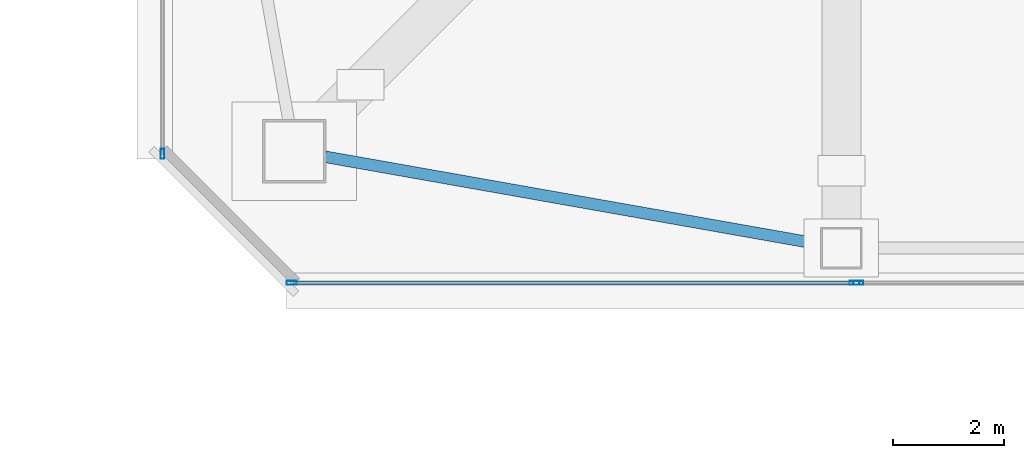
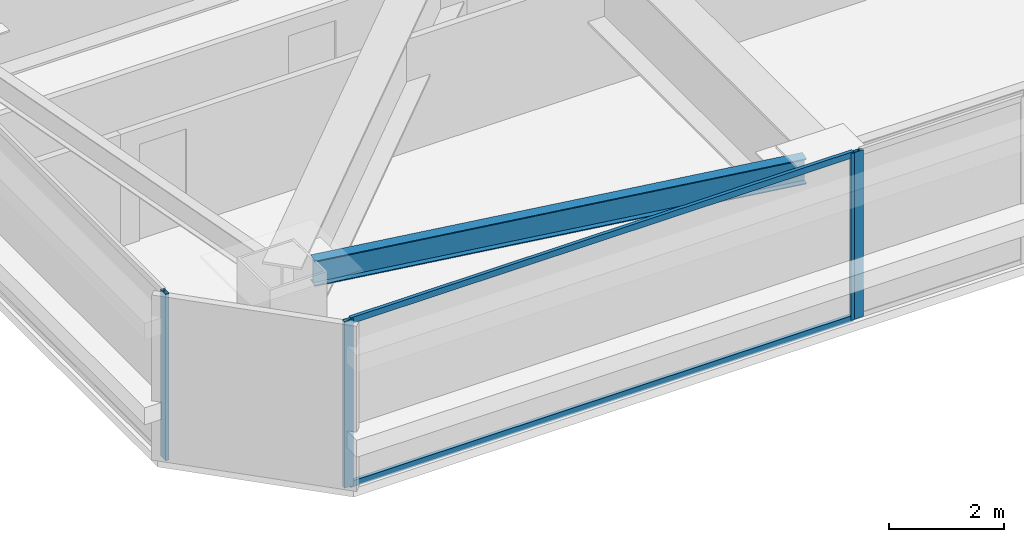
# One storey, part 3 of 42: 6 members, 1 beam, 3 elements without a shape of their own.
"""IFC4 building model written with IfcOpenShell, lengths in metres."""

from ifc_helpers import new_model, si_unit, direction, frame, origin, origin_2d, place, context, subcontext, project, spatial, hollow_rectangle, i_section, extrude, material, material_profile, profile_set, type_object, element, aggregate, save


model = new_model("IFC4")

# Units and contexts
model_context = context("Model", 3, precision=1e-05, world=origin(), true_north=direction((0.0, 1.0)))
body_context = subcontext(model_context, "Body", "Model", "MODEL_VIEW")
ifc_project = project(units=[si_unit("LENGTHUNIT", "METRE"), si_unit("AREAUNIT", "SQUARE_METRE"), si_unit("VOLUMEUNIT", "CUBIC_METRE"), si_unit("PLANEANGLEUNIT", "RADIAN"), si_unit("MASSUNIT", "GRAM", prefix="KILO")], contexts=[model_context])

# Site, building, storey
site_placement = place(None, origin())
site = spatial("IfcSite", under=ifc_project, at=site_placement, CompositionType="ELEMENT")
building_placement = place(site_placement, origin())
building = spatial("IfcBuilding", under=site, at=building_placement, Name="Tashvorn Skyway Center", CompositionType="ELEMENT")
storey_placement = place(building_placement, frame((0.0, 0.0, 196.050048828125)))
storey = spatial("IfcBuildingStorey", under=building, at=storey_placement, Name="L53", CompositionType="ELEMENT", Elevation=196.050048828125)

# Beam
ifc_material_1 = material(Name="Steel ASTM A992 Grade 50", Category="steel")
ifc_material_profile_1 = material_profile(ifc_material_1, i_section(OverallWidth=0.2109375, OverallDepth=0.5390625, WebThickness=0.01171875, FlangeThickness=0.018798828125, at=origin_2d()), Name="W21X73")
ifc_profile_set_1 = profile_set([ifc_material_profile_1], Name="Steel ASTM A992 Grade 50")
beam_type = type_object("IfcBeamType", Name="BM-SPANDREL-W21X73", PredefinedType="SPANDREL", material=ifc_profile_set_1)
beam_placement = place(storey_placement, frame((27.26123046875, 16.600830078125, 2.98046875), z_axis=(0.984732545667, -0.174074160933, 0.0), x_axis=(0.174074160933, 0.984732545667, 0.0)))
element("IfcBeam", 1, at=beam_placement, inside=storey, type_object=beam_type, Name="Tower 1 L53 Spandrel Beam 01", PredefinedType="SPANDREL", context=body_context, shape_type="SweptSolid", body=[
    extrude(i_section(OverallWidth=0.2109375, OverallDepth=0.5390625, WebThickness=0.01171875, FlangeThickness=0.018798828125, at=origin_2d()), origin(), (0.0, 0.0, 1.0), 9.113525390625),
])

# Curtain wall, member
ifc_material_2 = material(Name="Thermally broken bronze-anodized aluminium 6063-T6", Category="aluminium")
curtain_wall_type = type_object("IfcCurtainWallType", Name="CW-CW-Z4", PredefinedType="NOTDEFINED", material=ifc_material_2)
curtain_wall_1_placement = place(storey_placement, origin())
curtain_wall_1 = element("IfcCurtainWall", 2, at=curtain_wall_1_placement, inside=storey, type_object=curtain_wall_type, Name="Tower 1 L53 South Unitised Curtain Wall Glazing Group 3", PredefinedType="NOTDEFINED")
ifc_material_profile_2 = material_profile(ifc_material_2, hollow_rectangle(XDim=0.070068359375, YDim=0.179931640625, WallThickness=0.00390625, at=origin_2d()), Name="ALU-MULL-70x180")
ifc_profile_set_2 = profile_set([ifc_material_profile_2], Name="Thermally broken bronze-anodized aluminium 6063-T6")
member_type_1 = type_object("IfcMemberType", Name="CWM-CW-Z4", PredefinedType="MULLION", material=ifc_profile_set_2)
member_1_placement = place(storey_placement, frame((36.908203125, 14.320068359375, 0.0), z_axis=(0.0, 0.0, 1.0), x_axis=(0.0, -1.0, 0.0)))
member_1 = element("IfcMember", 3, at=member_1_placement, type_object=member_type_1, Name="CW-Z4 mullion 2", PredefinedType="MULLION", context=body_context, shape_type="SweptSolid", body=[
    extrude(hollow_rectangle(XDim=0.070068359375, YDim=0.179931640625, WallThickness=0.00390625, at=origin_2d()), origin(), (0.0, 0.0, 1.0), 3.550048828125),
])
aggregate(curtain_wall_1, [member_1])

# Curtain wall, members
curtain_wall_2_placement = place(storey_placement, origin())
curtain_wall_2 = element("IfcCurtainWall", 4, at=curtain_wall_2_placement, inside=storey, type_object=curtain_wall_type, Name="Tower 1 L53 South Unitised Curtain Wall Glazing Group 4", PredefinedType="NOTDEFINED")
member_2_placement = place(storey_placement, frame((36.83837890625, 14.320068359375, 0.0), z_axis=(0.0, 0.0, 1.0), x_axis=(0.0, -1.0, 0.0)))
member_2 = element("IfcMember", 5, at=member_2_placement, type_object=member_type_1, Name="CW-Z4 mullion 1", PredefinedType="MULLION", context=body_context, shape_type="SweptSolid", body=[
    extrude(hollow_rectangle(XDim=0.070068359375, YDim=0.179931640625, WallThickness=0.00390625, at=origin_2d()), origin(), (0.0, 0.0, 1.0), 3.550048828125),
])
member_3_placement = place(storey_placement, frame((26.655029296875, 14.320068359375, 0.0), z_axis=(0.0, 0.0, 1.0), x_axis=(0.0, -1.0, 0.0)))
member_3 = element("IfcMember", 6, at=member_3_placement, type_object=member_type_1, Name="CW-Z4 mullion 2", PredefinedType="MULLION", context=body_context, shape_type="SweptSolid", body=[
    extrude(hollow_rectangle(XDim=0.070068359375, YDim=0.179931640625, WallThickness=0.00390625, at=origin_2d()), origin(), (0.0, 0.0, 1.0), 3.550048828125),
])

# Curtain wall, member
curtain_wall_3_placement = place(storey_placement, origin())
curtain_wall_3 = element("IfcCurtainWall", 7, at=curtain_wall_3_placement, inside=storey, type_object=curtain_wall_type, Name="Tower 1 L53 West Curtain Wall L", PredefinedType="NOTDEFINED")
member_4_placement = place(storey_placement, frame((24.320068359375, 16.655029296875, 0.0), z_axis=(0.0, 0.0, 1.0), x_axis=(-1.0, 0.0, 0.0)))
member_4 = element("IfcMember", 8, at=member_4_placement, type_object=member_type_1, Name="CW-Z4 mullion 1", PredefinedType="MULLION", context=body_context, shape_type="SweptSolid", body=[
    extrude(hollow_rectangle(XDim=0.070068359375, YDim=0.179931640625, WallThickness=0.00390625, at=origin_2d()), origin(), (0.0, 0.0, 1.0), 3.550048828125),
])
aggregate(curtain_wall_3, [member_4])

# Member
ifc_material_profile_3 = material_profile(ifc_material_2, hollow_rectangle(XDim=0.070068359375, YDim=0.1298828125, WallThickness=0.00390625, at=origin_2d()), Name="ALU-TRAN-70x130")
ifc_profile_set_3 = profile_set([ifc_material_profile_3], Name="Thermally broken bronze-anodized aluminium 6063-T6")
member_type_2 = type_object("IfcMemberType", Name="CWT-CW-Z4", PredefinedType="USERDEFINED", material=ifc_profile_set_3)
member_5_placement = place(storey_placement, frame((36.80322265625, 14.320068359375, 0.034912109375), z_axis=(-1.0, 0.0, 0.0), x_axis=(0.0, -1.0, 0.0)))
member_5 = element("IfcMember", 9, at=member_5_placement, type_object=member_type_2, Name="CW-Z4 transom 1.1", ObjectType="TRANSOM", PredefinedType="USERDEFINED", context=body_context, shape_type="SweptSolid", body=[
    extrude(hollow_rectangle(XDim=0.070068359375, YDim=0.1298828125, WallThickness=0.00390625, at=origin_2d()), origin(), (0.0, 0.0, 1.0), 10.11328125),
])

member_6_placement = place(storey_placement, frame((36.80322265625, 14.320068359375, 3.514892578125), z_axis=(-1.0, 0.0, 0.0), x_axis=(0.0, -1.0, 0.0)))
member_6 = element("IfcMember", 10, at=member_6_placement, type_object=member_type_2, Name="CW-Z4 transom 1.2", ObjectType="TRANSOM", PredefinedType="USERDEFINED", context=body_context, shape_type="SweptSolid", body=[
    extrude(hollow_rectangle(XDim=0.070068359375, YDim=0.1298828125, WallThickness=0.00390625, at=origin_2d()), origin(), (0.0, 0.0, 1.0), 10.11328125),
])

aggregate(curtain_wall_2, [member_2, member_3, member_5, member_6])

save(model, "model.ifc")
